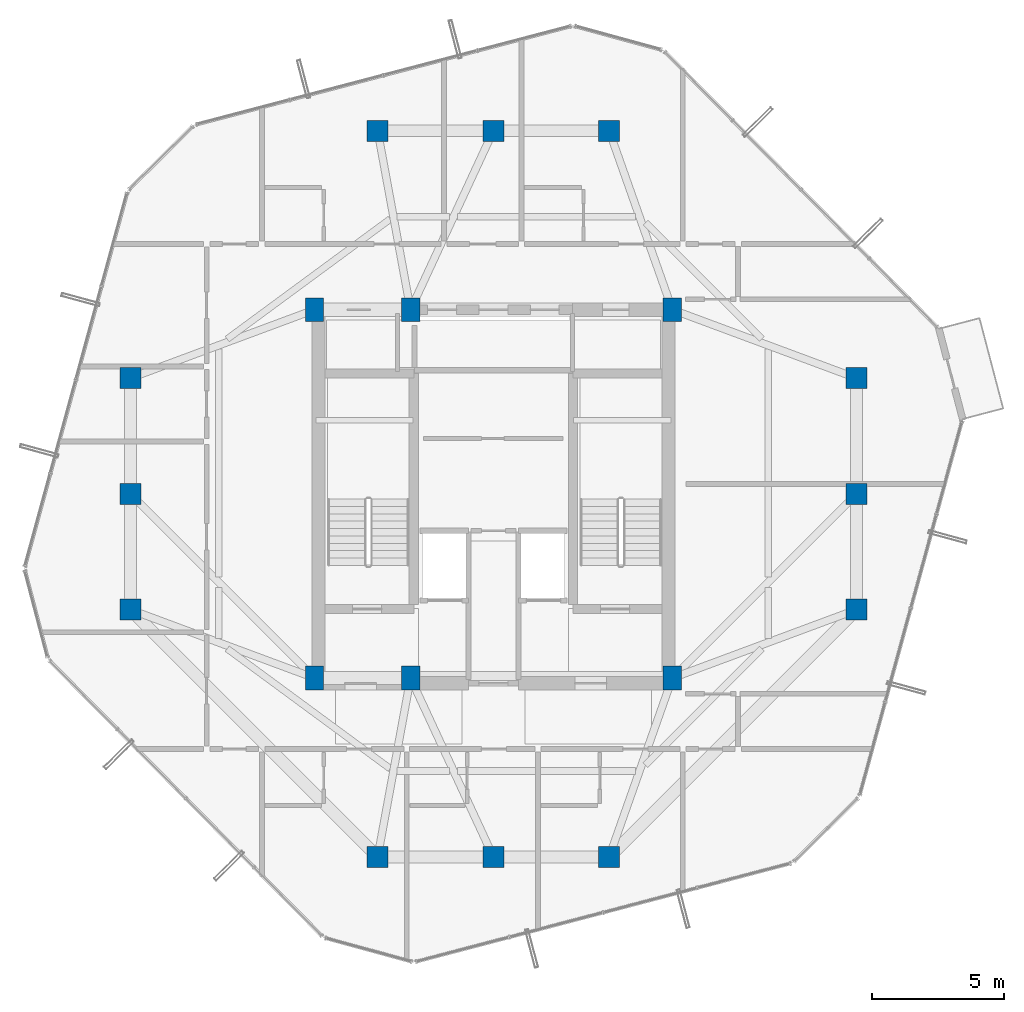
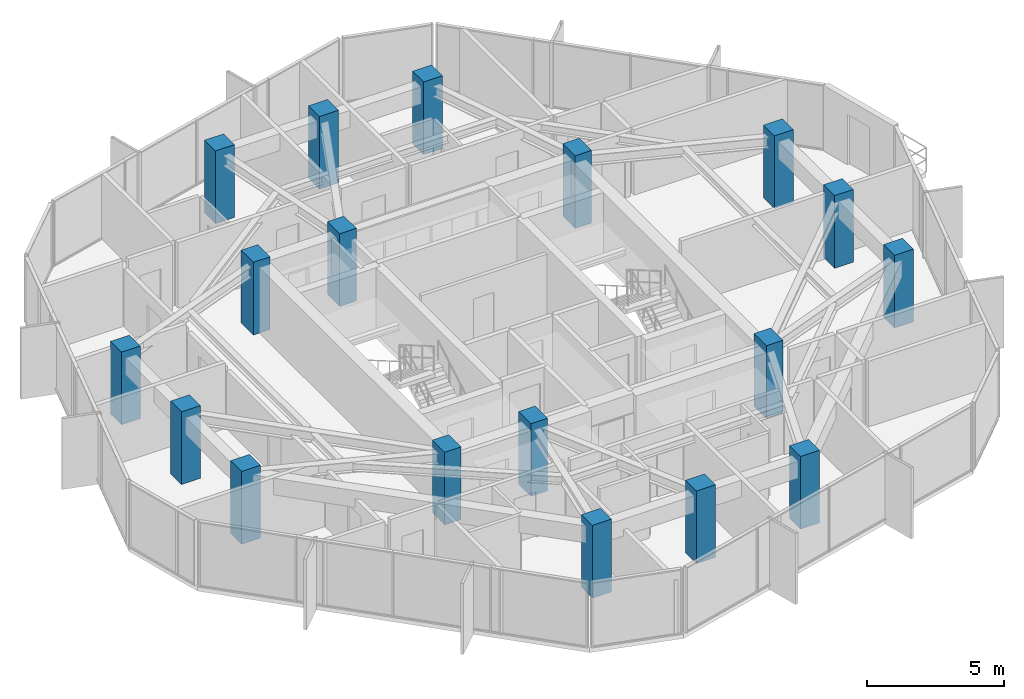
# One storey, part 1 of 29: 18 columns.
"""IFC4 building model written with IfcOpenShell, lengths in metres."""

from ifc_helpers import new_model, si_unit, direction, frame, origin, origin_2d, place, context, subcontext, project, spatial, rectangle, extrude, material, material_profile, profile_set, type_object, element, save


model = new_model("IFC4")

# Units and contexts
model_context = context("Model", 3, precision=1e-05, world=origin(), true_north=direction((0.0, 1.0)))
body_context = subcontext(model_context, "Body", "Model", "MODEL_VIEW")
ifc_project = project(units=[si_unit("LENGTHUNIT", "METRE"), si_unit("AREAUNIT", "SQUARE_METRE"), si_unit("VOLUMEUNIT", "CUBIC_METRE"), si_unit("PLANEANGLEUNIT", "RADIAN"), si_unit("MASSUNIT", "GRAM", prefix="KILO")], contexts=[model_context])

# Site, building, storey
site_placement = place(None, origin())
site = spatial("IfcSite", under=ifc_project, at=site_placement, CompositionType="ELEMENT")
building_placement = place(site_placement, origin())
building = spatial("IfcBuilding", under=site, at=building_placement, Name="Veraguas Prism Commons", CompositionType="ELEMENT")
storey_placement = place(building_placement, frame((0.0, 0.0, 261.0)))
storey = spatial("IfcBuildingStorey", under=building, at=storey_placement, Name="L74", CompositionType="ELEMENT", Elevation=261.0)

# Columns
ifc_material = material(Name="Concrete C50/60", Category="concrete")
ifc_material_profile_1 = material_profile(ifc_material, rectangle(XDim=0.800048828125, YDim=0.800048828125, at=origin_2d()), Name="RC800X800")
ifc_profile_set_1 = profile_set([ifc_material_profile_1], Name="Concrete C50/60")
column_type_1 = type_object("IfcColumnType", Name="Column Tube Z4 RC 800x800", PredefinedType="COLUMN", material=ifc_profile_set_1)
for number, where, z_axis, x_axis, name in (
    (1, (37.800048828125, 19.60009765625, 0.0), (0.0, 0.0, 1.0), (1.0, 0.0, 0.0), "Tower Perimeter Column L74-TB01"),
    (2, (37.800048828125, 24.0, 0.0), (0.0, 0.0, 1.0), (1.0, 0.0, 0.0), "Tower Perimeter Column L74-TB02"),
    (3, (37.800048828125, 28.39990234375, 0.0), (0.0, 0.0, 1.0), (1.0, 0.0, 0.0), "Tower Perimeter Column L74-TB03"),
    (4, (28.39990234375, 37.800048828125, 0.0), (0.0, 0.0, 1.0), (1.0, 0.0, 0.0), "Tower Perimeter Column L74-TB04"),
    (5, (24.0, 37.800048828125, 0.0), (0.0, 0.0, 1.0), (1.0, 0.0, 0.0), "Tower Perimeter Column L74-TB05"),
    (6, (19.60009765625, 37.800048828125, 0.0), (0.0, 0.0, 1.0), (1.0, 0.0, 0.0), "Tower Perimeter Column L74-TB06"),
    (7, (10.199951171875, 28.39990234375, 0.0), (0.0, 0.0, 1.0), (1.0, 0.0, 0.0), "Tower Perimeter Column L74-TB07"),
    (8, (10.199951171875, 24.0, 0.0), (0.0, 0.0, 1.0), (1.0, 0.0, 0.0), "Tower Perimeter Column L74-TB08"),
    (9, (10.199951171875, 19.60009765625, 0.0), (0.0, 0.0, 1.0), (1.0, 0.0, 0.0), "Tower Perimeter Column L74-TB09"),
    (10, (19.60009765625, 10.199951171875, 0.0), (0.0, 0.0, 1.0), (1.0, 0.0, 0.0), "Tower Perimeter Column L74-TB10"),
    (11, (24.0, 10.199951171875, 0.0), (0.0, 0.0, 1.0), (1.0, 0.0, 0.0), "Tower Perimeter Column L74-TB11"),
    (12, (28.39990234375, 10.199951171875, 0.0), (0.0, 0.0, 1.0), (1.0, 0.0, 0.0), "Tower Perimeter Column L74-TB12"),
):
    element("IfcColumn", number, at=place(storey_placement, frame(where, z_axis=z_axis, x_axis=x_axis)), inside=storey, type_object=column_type_1, Name=name, PredefinedType="COLUMN", context=body_context, shape_type="SweptSolid", body=[
        extrude(rectangle(XDim=0.800048828125, YDim=0.800048828125, at=origin_2d()), origin(), (0.0, 0.0, 1.0), 3.25),
    ])
ifc_material_profile_2 = material_profile(ifc_material, rectangle(XDim=0.699951171875, YDim=0.89990234375, at=origin_2d()), Name="RC700X900")
ifc_profile_set_2 = profile_set([ifc_material_profile_2], Name="Concrete C50/60")
column_type_2 = type_object("IfcColumnType", Name="Pilaster Core Upper RC 700x900", PredefinedType="PILASTER", material=ifc_profile_set_2)
for number, where, z_axis, x_axis, name in (
    (13, (17.199951171875, 17.0, 0.0), (0.0, 0.0, 1.0), (1.0, 0.0, 0.0), "Core Pilaster Column L74-CR1"),
    (14, (20.85009765625, 17.0, 0.0), (0.0, 0.0, 1.0), (1.0, 0.0, 0.0), "Core Pilaster Column L74-CR2"),
    (15, (30.800048828125, 17.0, 0.0), (0.0, 0.0, 1.0), (1.0, 0.0, 0.0), "Core Pilaster Column L74-CR3"),
    (16, (17.199951171875, 31.0, 0.0), (0.0, 0.0, 1.0), (1.0, 0.0, 0.0), "Core Pilaster Column L74-CR4"),
    (17, (20.85009765625, 31.0, 0.0), (0.0, 0.0, 1.0), (1.0, 0.0, 0.0), "Core Pilaster Column L74-CR5"),
    (18, (30.800048828125, 31.0, 0.0), (0.0, 0.0, 1.0), (1.0, 0.0, 0.0), "Core Pilaster Column L74-CR6"),
):
    element("IfcColumn", number, at=place(storey_placement, frame(where, z_axis=z_axis, x_axis=x_axis)), inside=storey, type_object=column_type_2, Name=name, PredefinedType="PILASTER", context=body_context, shape_type="SweptSolid", body=[
        extrude(rectangle(XDim=0.699951171875, YDim=0.89990234375, at=origin_2d()), origin(), (0.0, 0.0, 1.0), 3.25),
    ])

save(model, "model.ifc")
